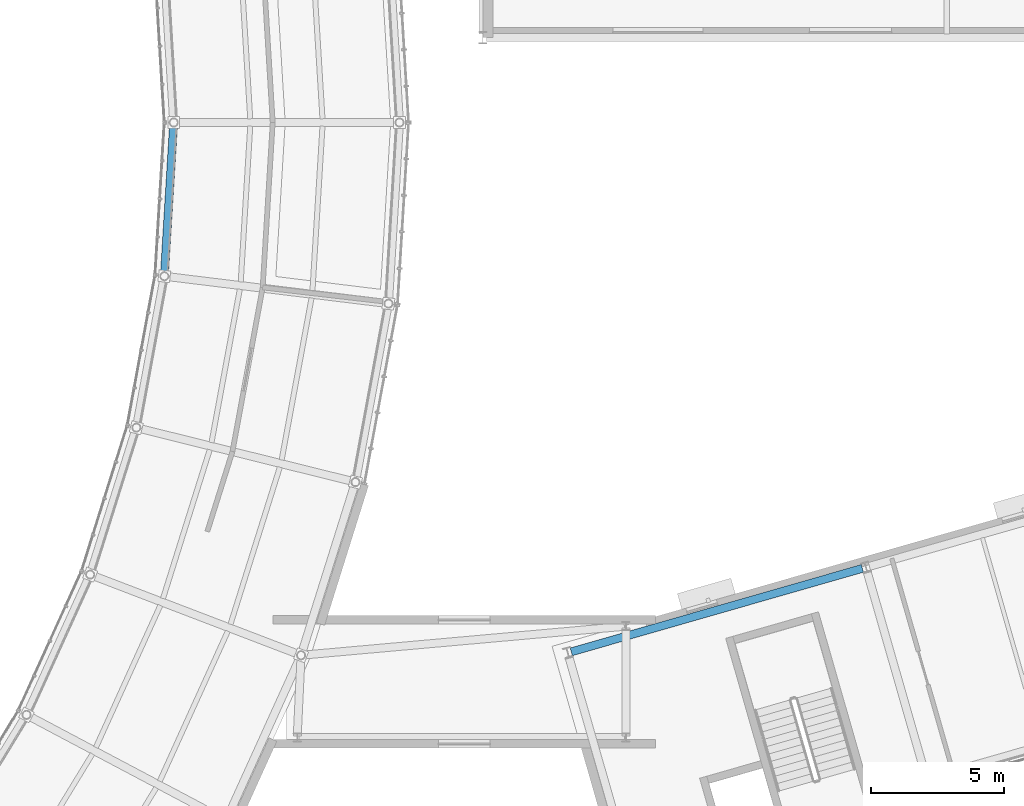
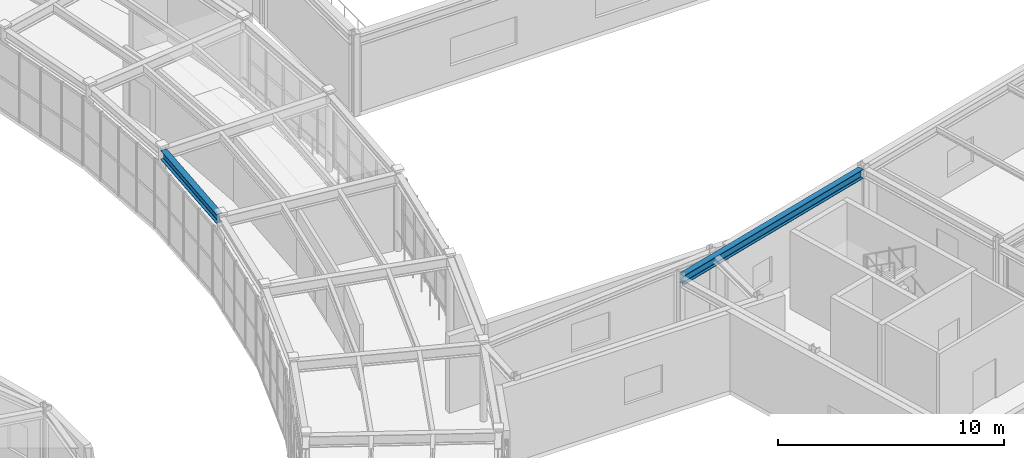
# One storey, part 37 of 103: 2 beams.
"""IFC4 building model written with IfcOpenShell, lengths in metres."""

from ifc_helpers import new_model, si_unit, direction, frame, origin, origin_2d, place, context, subcontext, project, spatial, i_section, extrude, material, material_profile, profile_set, type_object, element, save


model = new_model("IFC4")

# Units and contexts
model_context = context("Model", 3, precision=1e-05, world=origin(), true_north=direction((0.0, 1.0)))
body_context = subcontext(model_context, "Body", "Model", "MODEL_VIEW")
ifc_project = project(units=[si_unit("LENGTHUNIT", "METRE"), si_unit("AREAUNIT", "SQUARE_METRE"), si_unit("VOLUMEUNIT", "CUBIC_METRE"), si_unit("PLANEANGLEUNIT", "RADIAN"), si_unit("MASSUNIT", "GRAM", prefix="KILO")], contexts=[model_context])

# Site, building, storey
site_placement = place(None, origin())
site = spatial("IfcSite", under=ifc_project, at=site_placement, CompositionType="ELEMENT")
building_placement = place(site_placement, origin())
building = spatial("IfcBuilding", under=site, at=building_placement, Name="Varnklinge Art Gallery", CompositionType="ELEMENT")
storey_placement = place(building_placement, frame((0.0, 0.0, 5.10009765625)))
storey = spatial("IfcBuildingStorey", under=building, at=storey_placement, Name="L01", CompositionType="ELEMENT", Elevation=5.10009765625)

# Beams
ifc_material_1 = material(Name="Steel S355", Category="steel")
ifc_material_profile_1 = material_profile(ifc_material_1, i_section(OverallWidth=0.300048828125, OverallDepth=0.489990234375, WebThickness=0.011962890625, FlangeThickness=0.02294921875, FilletRadius=0.027099609375, at=origin_2d()), Name="HEA 500")
ifc_profile_set_1 = profile_set([ifc_material_profile_1], Name="Steel S355")
beam_type_1 = type_object("IfcBeamType", Name="BM-07", PredefinedType="BEAM", material=ifc_profile_set_1)
beam_1_placement = place(storey_placement, frame((117.740478515625, 35.03173828125, 3.954833984375), z_axis=(0.961257274888, 0.275652773383, 0.0), x_axis=(-0.275652773383, 0.961257274888, 0.0)))
element("IfcBeam", 1, at=beam_1_placement, inside=storey, type_object=beam_type_1, Name="L01 BM-07 BM-V6-L02-U3-0", PredefinedType="BEAM", context=body_context, shape_type="SweptSolid", body=[
    extrude(i_section(OverallWidth=0.300048828125, OverallDepth=0.489990234375, WebThickness=0.011962890625, FlangeThickness=0.02294921875, FilletRadius=0.027099609375, at=origin_2d()), origin(), (0.0, 0.0, 1.0), 11.419921875),
])
ifc_material_2 = material(Name="Steel S355", Category="steel")
ifc_material_profile_2 = material_profile(ifc_material_2, i_section(OverallWidth=0.300048828125, OverallDepth=0.489990234375, WebThickness=0.011962890625, FlangeThickness=0.02294921875, FilletRadius=0.027099609375, at=origin_2d()), Name="HEA 500")
ifc_profile_set_2 = profile_set([ifc_material_profile_2], Name="Steel S355")
beam_type_2 = type_object("IfcBeamType", Name="SPB-01", PredefinedType="SPANDREL", material=ifc_profile_set_2)
beam_2_placement = place(storey_placement, frame((102.396484375, 49.3408203125, 3.934814453125), z_axis=(0.06083896784, 0.998147594293, 0.0), x_axis=(-0.998147594293, 0.06083896784, 0.0)))
element("IfcBeam", 2, at=beam_2_placement, inside=storey, type_object=beam_type_2, Name="L01 SPB-01 BM-V2-L02-I06", PredefinedType="SPANDREL", context=body_context, shape_type="SweptSolid", body=[
    extrude(i_section(OverallWidth=0.300048828125, OverallDepth=0.489990234375, WebThickness=0.011962890625, FlangeThickness=0.02294921875, FilletRadius=0.027099609375, at=origin_2d()), origin(), (0.0, 0.0, 1.0), 5.52978515625),
])

save(model, "model.ifc")
